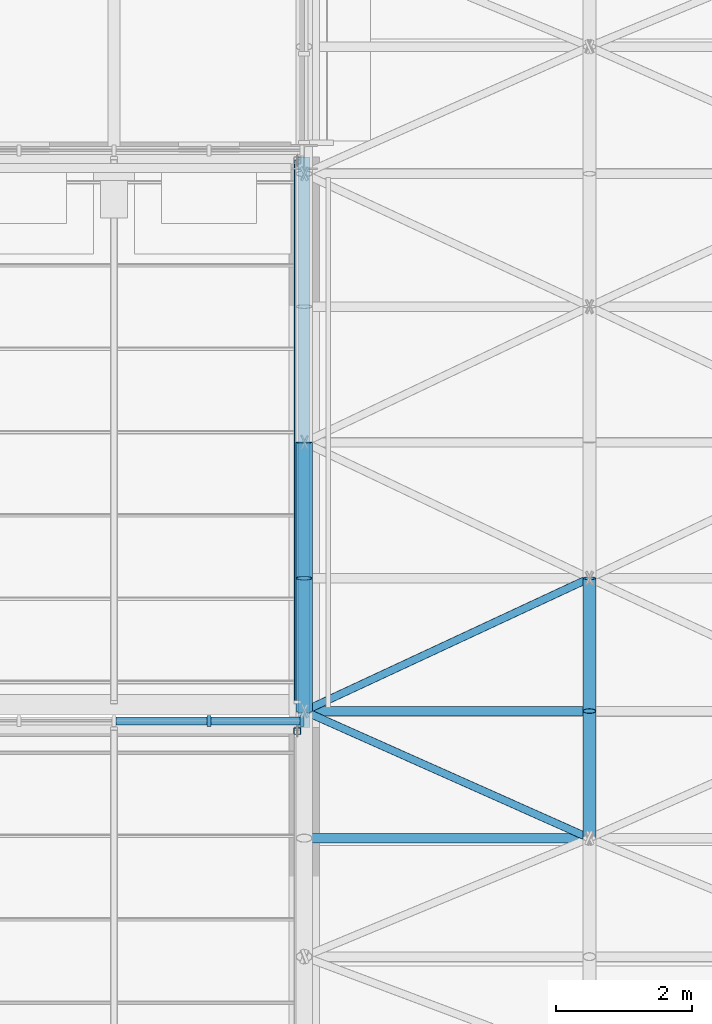
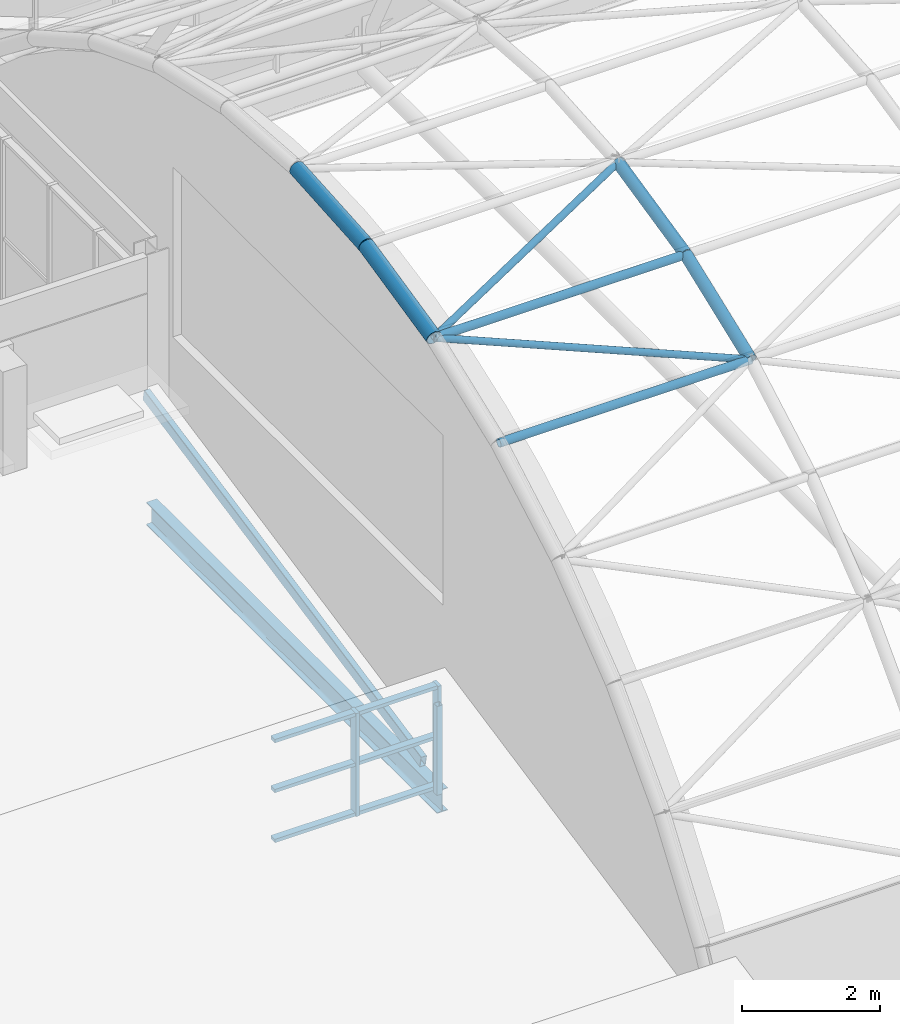
# One storey, part 41 of 121: 18 members, 1 beam, 1 element without a shape of its own.
"""IFC4 building model written with IfcOpenShell, lengths in metres."""

from ifc_helpers import new_model, si_unit, direction, frame, origin, origin_2d, place, context, subcontext, project, spatial, rectangle, hollow_rectangle, hollow_circle, i_section, extrude, material, layer, layer_set, material_profile, profile_set, type_object, element, aggregate, save


model = new_model("IFC4")

# Units and contexts
model_context = context("Model", 3, precision=1e-05, world=origin(), true_north=direction((0.0, 1.0)))
body_context = subcontext(model_context, "Body", "Model", "MODEL_VIEW")
ifc_project = project(units=[si_unit("LENGTHUNIT", "METRE"), si_unit("AREAUNIT", "SQUARE_METRE"), si_unit("VOLUMEUNIT", "CUBIC_METRE"), si_unit("PLANEANGLEUNIT", "RADIAN"), si_unit("MASSUNIT", "GRAM", prefix="KILO")], contexts=[model_context])

# Site, building, storey
site_placement = place(None, origin())
site = spatial("IfcSite", under=ifc_project, at=site_placement, CompositionType="ELEMENT")
building_placement = place(site_placement, origin())
building = spatial("IfcBuilding", under=site, at=building_placement, Name="Ardhachandra Cancer Care Centre", CompositionType="ELEMENT")
storey_placement = place(building_placement, frame((0.0, 0.0, 9.0)))
storey = spatial("IfcBuildingStorey", under=building, at=storey_placement, Name="L02", CompositionType="ELEMENT", Elevation=9.0)

# Beam
ifc_material_1 = material(Name="Steel E350 (IS 2062)", Category="steel")
ifc_material_profile_1 = material_profile(ifc_material_1, i_section(OverallWidth=0.179931640625, OverallDepth=0.39990234375, WebThickness=0.008544921875, FlangeThickness=0.013427734375, FilletRadius=0.02099609375, at=origin_2d()), Name="NPB 400x180x66.30")
ifc_profile_set_1 = profile_set([ifc_material_profile_1], Name="Steel E350 (IS 2062)")
beam_type = type_object("IfcBeamType", Name="Beam NPB 400x180x66.30", PredefinedType="BEAM", material=ifc_profile_set_1)
beam_placement = place(storey_placement, frame((44.39990234375, 63.0, -0.199951171875), z_axis=(0.0, 1.0, 0.0), x_axis=(-1.0, 0.0, 0.0)))
element("IfcBeam", 1, at=beam_placement, inside=storey, type_object=beam_type, Name="Roof girder G5-H5", PredefinedType="BEAM", context=body_context, shape_type="SweptSolid", body=[
    extrude(i_section(OverallWidth=0.179931640625, OverallDepth=0.39990234375, WebThickness=0.008544921875, FlangeThickness=0.013427734375, FilletRadius=0.02099609375, at=origin_2d()), origin(), (0.0, 0.0, 1.0), 8.39990234375),
])

# Curtain wall, members
ifc_material_2 = material(Name="Aluminium extrusion", Category="aluminium")
ifc_layer = layer(ifc_material_2, 0.14990234375)
ifc_layer_set = layer_set([ifc_layer], Name="Aluminium extrusion")
curtain_wall_type = type_object("IfcCurtainWallType", Name="Curtain wall run", PredefinedType="NOTDEFINED", material=ifc_layer_set)
curtain_wall_placement = place(storey_placement, origin())
curtain_wall = element("IfcCurtainWall", 2, at=curtain_wall_placement, inside=storey, type_object=curtain_wall_type, Name="Curtain wall L02 n/0010800_0063100", PredefinedType="NOTDEFINED")
ifc_material_3 = material(Name="Aluminium extrusion", Category="aluminium")
ifc_material_profile_2 = material_profile(ifc_material_3, rectangle(XDim=0.159912109375, YDim=0.06005859375, at=origin_2d()), Name="Curtain wall mullion 60 x 160")
ifc_profile_set_2 = profile_set([ifc_material_profile_2], Name="Aluminium extrusion")
member_type_1 = type_object("IfcMemberType", Name="Curtain wall mullion 60 x 160", PredefinedType="MULLION", material=ifc_profile_set_2)
member_1_placement = place(storey_placement, frame((43.0, 63.10009765625, 0.0), z_axis=(0.0, 0.0, 1.0), x_axis=(0.0, 1.0, 0.0)))
member_1 = element("IfcMember", 3, at=member_1_placement, type_object=member_type_1, Name="CW mullion 24", PredefinedType="MULLION", context=body_context, shape_type="SweptSolid", body=[
    extrude(rectangle(XDim=0.159912109375, YDim=0.06005859375, at=origin_2d()), origin(), (0.0, 0.0, 1.0), 1.820068359375),
])
member_2_placement = place(storey_placement, frame((44.3701171875, 63.10009765625, 0.0), z_axis=(0.0, 0.0, 1.0), x_axis=(0.0, 1.0, 0.0)))
member_2 = element("IfcMember", 4, at=member_2_placement, type_object=member_type_1, Name="CW mullion 25", PredefinedType="MULLION", context=body_context, shape_type="SweptSolid", body=[
    extrude(rectangle(XDim=0.159912109375, YDim=0.06005859375, at=origin_2d()), origin(), (0.0, 0.0, 1.0), 1.820068359375),
])
ifc_material_4 = material(Name="Aluminium extrusion", Category="aluminium")
ifc_material_profile_3 = material_profile(ifc_material_4, rectangle(XDim=0.1201171875, YDim=0.06005859375, at=origin_2d()), Name="Curtain wall transom 60 x 120")
ifc_profile_set_3 = profile_set([ifc_material_profile_3], Name="Aluminium extrusion")
member_type_2 = type_object("IfcMemberType", Name="Curtain wall transom 60 x 120", PredefinedType="USERDEFINED", material=ifc_profile_set_3)
member_3_placement = place(storey_placement, frame((41.6298828125, 63.10009765625, 0.030029296875), z_axis=(1.0, 0.0, 0.0), x_axis=(0.0, 1.0, 0.0)))
member_3 = element("IfcMember", 5, at=member_3_placement, type_object=member_type_2, Name="CW transom 23.1", ObjectType="TRANSOM", PredefinedType="USERDEFINED", context=body_context, shape_type="SweptSolid", body=[
    extrude(rectangle(XDim=0.1201171875, YDim=0.06005859375, at=origin_2d()), origin(), (0.0, 0.0, 1.0), 1.340087890625),
])
member_4_placement = place(storey_placement, frame((41.6298828125, 63.10009765625, 0.909912109375), z_axis=(1.0, 0.0, 0.0), x_axis=(0.0, 1.0, 0.0)))
member_4 = element("IfcMember", 6, at=member_4_placement, type_object=member_type_2, Name="CW transom 23.2", ObjectType="TRANSOM", PredefinedType="USERDEFINED", context=body_context, shape_type="SweptSolid", body=[
    extrude(rectangle(XDim=0.1201171875, YDim=0.06005859375, at=origin_2d()), origin(), (0.0, 0.0, 1.0), 1.340087890625),
])
member_5_placement = place(storey_placement, frame((41.6298828125, 63.10009765625, 1.7900390625), z_axis=(1.0, 0.0, 0.0), x_axis=(0.0, 1.0, 0.0)))
member_5 = element("IfcMember", 7, at=member_5_placement, type_object=member_type_2, Name="CW transom 23.3", ObjectType="TRANSOM", PredefinedType="USERDEFINED", context=body_context, shape_type="SweptSolid", body=[
    extrude(rectangle(XDim=0.1201171875, YDim=0.06005859375, at=origin_2d()), origin(), (0.0, 0.0, 1.0), 1.340087890625),
])
member_6_placement = place(storey_placement, frame((43.030029296875, 63.10009765625, 0.030029296875), z_axis=(1.0, 0.0, 0.0), x_axis=(0.0, 1.0, 0.0)))
member_6 = element("IfcMember", 8, at=member_6_placement, type_object=member_type_2, Name="CW transom 24.1", ObjectType="TRANSOM", PredefinedType="USERDEFINED", context=body_context, shape_type="SweptSolid", body=[
    extrude(rectangle(XDim=0.1201171875, YDim=0.06005859375, at=origin_2d()), origin(), (0.0, 0.0, 1.0), 1.31005859375),
])
member_7_placement = place(storey_placement, frame((43.030029296875, 63.10009765625, 0.909912109375), z_axis=(1.0, 0.0, 0.0), x_axis=(0.0, 1.0, 0.0)))
member_7 = element("IfcMember", 9, at=member_7_placement, type_object=member_type_2, Name="CW transom 24.2", ObjectType="TRANSOM", PredefinedType="USERDEFINED", context=body_context, shape_type="SweptSolid", body=[
    extrude(rectangle(XDim=0.1201171875, YDim=0.06005859375, at=origin_2d()), origin(), (0.0, 0.0, 1.0), 1.31005859375),
])
member_8_placement = place(storey_placement, frame((43.030029296875, 63.10009765625, 1.7900390625), z_axis=(1.0, 0.0, 0.0), x_axis=(0.0, 1.0, 0.0)))
member_8 = element("IfcMember", 10, at=member_8_placement, type_object=member_type_2, Name="CW transom 24.3", ObjectType="TRANSOM", PredefinedType="USERDEFINED", context=body_context, shape_type="SweptSolid", body=[
    extrude(rectangle(XDim=0.1201171875, YDim=0.06005859375, at=origin_2d()), origin(), (0.0, 0.0, 1.0), 1.31005859375),
])
aggregate(curtain_wall, [member_1, member_2, member_3, member_4, member_5, member_6, member_7, member_8])

# Members
ifc_material_5 = material(Name="Steel E350 (IS 2062)", Category="steel")
ifc_material_profile_4 = material_profile(ifc_material_5, hollow_circle(Radius=0.05712890625, WallThickness=0.0048828125, at=origin_2d()), Name="CHS 114.3x5.0")
ifc_profile_set_4 = profile_set([ifc_material_profile_4], Name="Steel E350 (IS 2062)")
member_type_3 = type_object("IfcMemberType", Name="Hall shell Diagonal CHS 114.3x5.0", PredefinedType="BRACE", material=ifc_profile_set_4)
for number, where, z_axis, x_axis, name in (
    (11, (48.60009765625, 61.37353515625, 7.093994140625), (-0.902476632176, 0.401980843546, 0.154749248135), (-0.406882236734, -0.913480621267, 0.0), "Hall shell diagonal 01-05"),
    (12, (44.39990234375, 63.244384765625, 7.814208984375), (0.902464567995, 0.420335304775, 0.094212181128), (-0.422213249889, 0.906496537014, 0.0), "Hall shell diagonal 00-06"),
):
    element("IfcMember", number, at=place(storey_placement, frame(where, z_axis=z_axis, x_axis=x_axis)), inside=storey, type_object=member_type_3, Name=name, PredefinedType="BRACE", context=body_context, shape_type="SweptSolid", body=[
        extrude(hollow_circle(Radius=0.05712890625, WallThickness=0.0048828125, at=origin_2d()), origin(), (0.0, 0.0, 1.0), 4.654052734375),
    ])
ifc_material_6 = material(Name="Steel E350 (IS 2062)", Category="steel")
ifc_material_profile_5 = material_profile(ifc_material_6, hollow_circle(Radius=0.06982421875, WallThickness=0.0048828125, at=origin_2d()), Name="CHS 139.7x5.0")
ifc_profile_set_5 = profile_set([ifc_material_profile_5], Name="Steel E350 (IS 2062)")
member_type_4 = type_object("IfcMemberType", Name="Hall shell Purlin CHS 139.7x5.0", PredefinedType="PURLIN", material=ifc_profile_set_5)
for number, where, z_axis, x_axis, name in (
    (13, (44.39990234375, 61.37353515625, 7.093994140625), (1.0, 0.0, 0.0), (0.0, 1.0, 0.0), "Hall shell purlin 00-05"),
    (14, (44.39990234375, 63.244384765625, 7.814208984375), (1.0, 0.0, 0.0), (0.0, 1.0, 0.0), "Hall shell purlin 00-06"),
):
    element("IfcMember", number, at=place(storey_placement, frame(where, z_axis=z_axis, x_axis=x_axis)), inside=storey, type_object=member_type_4, Name=name, PredefinedType="PURLIN", context=body_context, shape_type="SweptSolid", body=[
        extrude(hollow_circle(Radius=0.06982421875, WallThickness=0.0048828125, at=origin_2d()), origin(), (0.0, 0.0, 1.0), 4.2001953125),
    ])
ifc_material_7 = material(Name="Steel E350 (IS 2062)", Category="steel")
ifc_material_profile_6 = material_profile(ifc_material_7, hollow_circle(Radius=0.096923828125, WallThickness=0.008056640625, at=origin_2d()), Name="CHS 193.7x8.0")
ifc_profile_set_6 = profile_set([ifc_material_profile_6], Name="Steel E350 (IS 2062)")
member_type_5 = type_object("IfcMemberType", Name="Hall shell Rib CHS 193.7x8.0", PredefinedType="RAFTER", material=ifc_profile_set_6)
member_9_placement = place(storey_placement, frame((48.60009765625, 61.37353515625, 7.093994140625), z_axis=(0.0, 0.933235705219, 0.359264691426), x_axis=(-1.0, 0.0, 0.0)))
element("IfcMember", 15, at=member_9_placement, inside=storey, type_object=member_type_5, Name="Hall shell rib 01-05", PredefinedType="RAFTER", context=body_context, shape_type="SweptSolid", body=[
    extrude(hollow_circle(Radius=0.096923828125, WallThickness=0.008056640625, at=origin_2d()), origin(), (0.0, 0.0, 1.0), 2.004638671875),
])
member_10_placement = place(storey_placement, frame((48.60009765625, 63.244384765625, 7.814208984375), z_axis=(0.0, 0.9757900251, 0.218709457766), x_axis=(-1.0, 0.0, 0.0)))
element("IfcMember", 16, at=member_10_placement, inside=storey, type_object=member_type_5, Name="Hall shell rib 01-06", PredefinedType="RAFTER", context=body_context, shape_type="SweptSolid", body=[
    extrude(hollow_circle(Radius=0.096923828125, WallThickness=0.008056640625, at=origin_2d()), origin(), (0.0, 0.0, 1.0), 2.0048828125),
])
ifc_material_8 = material(Name="Steel E350 (IS 2062)", Category="steel")
ifc_material_profile_7 = material_profile(ifc_material_8, hollow_circle(Radius=0.122314453125, WallThickness=0.010009765625, at=origin_2d()), Name="CHS 244.5x10.0")
ifc_profile_set_7 = profile_set([ifc_material_profile_7], Name="Steel E350 (IS 2062)")
member_type_6 = type_object("IfcMemberType", Name="Hall shell Rib CHS 244.5x10.0", PredefinedType="RAFTER", material=ifc_profile_set_7)
member_11_placement = place(storey_placement, frame((44.39990234375, 63.244384765625, 7.814208984375), z_axis=(0.0, 0.9757900251, 0.218709457766), x_axis=(-1.0, 0.0, 0.0)))
element("IfcMember", 17, at=member_11_placement, inside=storey, type_object=member_type_6, Name="Hall shell rib 00-06", PredefinedType="RAFTER", context=body_context, shape_type="SweptSolid", body=[
    extrude(hollow_circle(Radius=0.122314453125, WallThickness=0.010009765625, at=origin_2d()), origin(), (0.0, 0.0, 1.0), 2.0048828125),
])
member_12_placement = place(storey_placement, frame((44.39990234375, 65.20068359375, 8.252685546875), z_axis=(0.0, 0.997299891926, 0.073436541071), x_axis=(-1.0, 0.0, 0.0)))
element("IfcMember", 18, at=member_12_placement, inside=storey, type_object=member_type_6, Name="Hall shell rib 00-07", PredefinedType="RAFTER", context=body_context, shape_type="SweptSolid", body=[
    extrude(hollow_circle(Radius=0.122314453125, WallThickness=0.010009765625, at=origin_2d()), origin(), (0.0, 0.0, 1.0), 2.004638671875),
])
ifc_material_9 = material(Name="Steel E350 (IS 2062)", Category="steel")
ifc_material_profile_8 = material_profile(ifc_material_9, hollow_rectangle(XDim=0.10009765625, YDim=0.199951171875, WallThickness=0.006103515625, InnerFilletRadius=0.006103515625, OuterFilletRadius=0.011962890625, at=origin_2d()), Name="RHS 200x100x6.0")
ifc_profile_set_8 = profile_set([ifc_material_profile_8], Name="Steel E350 (IS 2062)")
member_type_7 = type_object("IfcMemberType", Name="Roof rafter RHS 200x100x6.0", PredefinedType="RAFTER", material=ifc_profile_set_8)
member_13_placement = place(storey_placement, frame((44.300048828125, 63.380126953125, 0.298095703125), z_axis=(0.0, 0.980109665583, 0.198456653782), x_axis=(-1.0, 0.0, 0.0)))
element("IfcMember", 19, at=member_13_placement, inside=storey, type_object=member_type_7, Name="Rafter T5a.10", PredefinedType="RAFTER", context=body_context, shape_type="SweptSolid", body=[
    extrude(hollow_rectangle(XDim=0.10009765625, YDim=0.199951171875, WallThickness=0.006103515625, InnerFilletRadius=0.006103515625, OuterFilletRadius=0.011962890625, at=origin_2d()), origin(), (0.0, 0.0, 1.0), 8.162353515625),
])
ifc_material_10 = material(Name="Steel E350 (IS 2062)", Category="steel")
ifc_material_profile_9 = material_profile(ifc_material_10, hollow_rectangle(XDim=0.10009765625, YDim=0.10009765625, WallThickness=0.0048828125, InnerFilletRadius=0.0048828125, OuterFilletRadius=0.010009765625, at=origin_2d()), Name="SHS 100x100x5.0")
ifc_profile_set_9 = profile_set([ifc_material_profile_9], Name="Steel E350 (IS 2062)")
member_type_8 = type_object("IfcMemberType", Name="Sawtooth ridge post SHS 100x100x5.0", PredefinedType="POST", material=ifc_profile_set_9)
member_14_placement = place(storey_placement, frame((44.300048828125, 62.949951171875, 0.0), z_axis=(0.0, 0.0, 1.0), x_axis=(1.0, 0.0, 0.0)))
element("IfcMember", 20, at=member_14_placement, inside=storey, type_object=member_type_8, Name="Ridge post T4a.5", PredefinedType="POST", context=body_context, shape_type="SweptSolid", body=[
    extrude(hollow_rectangle(XDim=0.10009765625, YDim=0.10009765625, WallThickness=0.0048828125, InnerFilletRadius=0.0048828125, OuterFilletRadius=0.010009765625, at=origin_2d()), origin(), (0.0, 0.0, 1.0), 1.5673828125),
])

save(model, "model.ifc")
